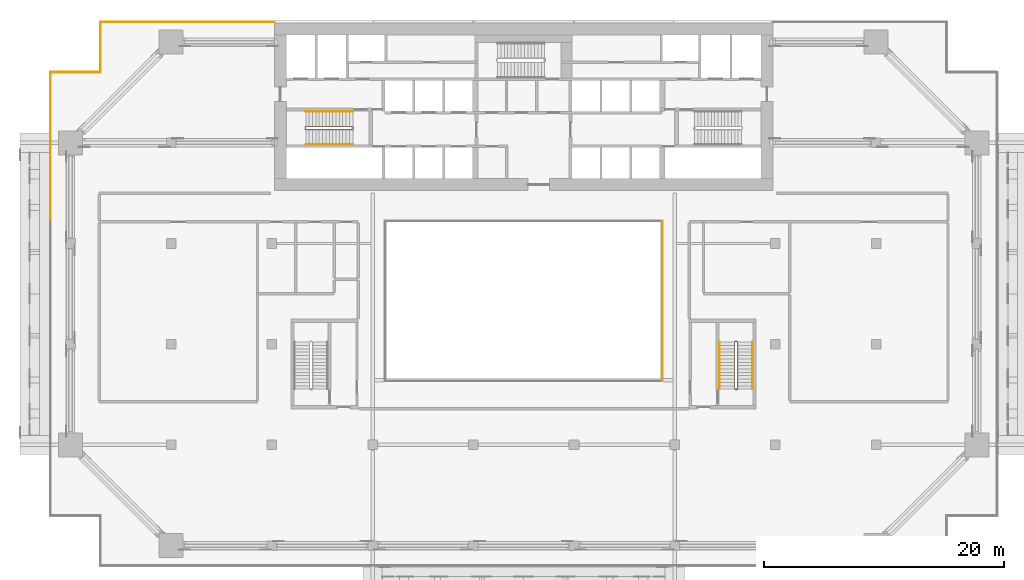
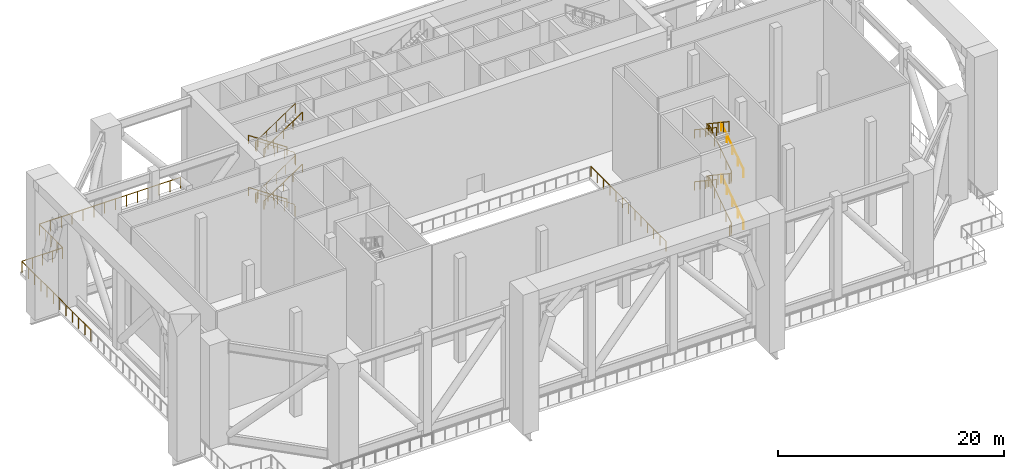
# One storey, part 17 of 19: 15 railings.
"""IFC4 building model written with IfcOpenShell, lengths in metres."""

from ifc_helpers import new_model, si_unit, direction, frame, origin, origin_2d, place, context, subcontext, project, spatial, circle, extrude, material, type_object, element, save


model = new_model("IFC4")

# Units and contexts
model_context = context("Model", 3, precision=1e-05, world=origin(), true_north=direction((0.0, 1.0)))
body_context = subcontext(model_context, "Body", "Model", "MODEL_VIEW")
ifc_project = project(units=[si_unit("LENGTHUNIT", "METRE"), si_unit("AREAUNIT", "SQUARE_METRE"), si_unit("VOLUMEUNIT", "CUBIC_METRE"), si_unit("PLANEANGLEUNIT", "RADIAN"), si_unit("MASSUNIT", "GRAM", prefix="KILO")], contexts=[model_context])

# Site, building, storey
site_placement = place(None, origin())
site = spatial("IfcSite", under=ifc_project, at=site_placement, CompositionType="ELEMENT")
building_placement = place(site_placement, origin())
building = spatial("IfcBuilding", under=site, at=building_placement, Name="Saffron Gate Tower", CompositionType="ELEMENT")
storey_placement = place(building_placement, frame((0.0, 0.0, 84.0)))
storey = spatial("IfcBuildingStorey", under=building, at=storey_placement, Name="L20", CompositionType="ELEMENT", Elevation=84.0)

# Railings
ifc_material_1 = material(Name="Stainless steel and laminated glass", Category="steel")
railing_type_1 = type_object("IfcRailingType", Name="AG1 Atrium edge guard 1100", PredefinedType="GUARDRAIL", material=ifc_material_1)
railing_1_placement = place(storey_placement, frame((99.179931640625, 58.860107421875, 0.0)))
element("IfcRailing", 1, at=railing_1_placement, inside=storey, type_object=railing_type_1, Name="Guard X1-3", PredefinedType="GUARDRAIL", context=body_context, shape_type="SweptSolid", body=[
    extrude(circle(Radius=0.02392578125, at=origin_2d()), frame((0.0, 0.0, 1.076171875), z_axis=(0.0, -1.0, 0.0), x_axis=(1.0, 0.0, 0.0)), (0.0, 0.0, 1.0), 13.320068359375),
    extrude(circle(Radius=0.02099609375, at=origin_2d()), origin(), (0.0, 0.0, 1.0), 1.052001953125),
    extrude(circle(Radius=0.02099609375, at=origin_2d()), frame((0.0, -1.110107421875, 0.0)), (0.0, 0.0, 1.0), 1.052001953125),
    extrude(circle(Radius=0.02099609375, at=origin_2d()), frame((0.0, -2.219970703125, 0.0)), (0.0, 0.0, 1.0), 1.052001953125),
    extrude(circle(Radius=0.02099609375, at=origin_2d()), frame((0.0, -3.330078125, 0.0)), (0.0, 0.0, 1.0), 1.052001953125),
    extrude(circle(Radius=0.02099609375, at=origin_2d()), frame((0.0, -4.43994140625, 0.0)), (0.0, 0.0, 1.0), 1.052001953125),
    extrude(circle(Radius=0.02099609375, at=origin_2d()), frame((0.0, -5.550048828125, 0.0)), (0.0, 0.0, 1.0), 1.052001953125),
    extrude(circle(Radius=0.02099609375, at=origin_2d()), frame((0.0, -6.66015625, 0.0)), (0.0, 0.0, 1.0), 1.052001953125),
    extrude(circle(Radius=0.02099609375, at=origin_2d()), frame((0.0, -7.77001953125, 0.0)), (0.0, 0.0, 1.0), 1.052001953125),
    extrude(circle(Radius=0.02099609375, at=origin_2d()), frame((0.0, -8.880126953125, 0.0)), (0.0, 0.0, 1.0), 1.052001953125),
    extrude(circle(Radius=0.02099609375, at=origin_2d()), frame((0.0, -9.989990234375, 0.0)), (0.0, 0.0, 1.0), 1.052001953125),
    extrude(circle(Radius=0.02099609375, at=origin_2d()), frame((0.0, -11.10009765625, 0.0)), (0.0, 0.0, 1.0), 1.052001953125),
    extrude(circle(Radius=0.02099609375, at=origin_2d()), frame((0.0, -12.2099609375, 0.0)), (0.0, 0.0, 1.0), 1.052001953125),
    extrude(circle(Radius=0.02099609375, at=origin_2d()), frame((0.0, -13.320068359375, 0.0)), (0.0, 0.0, 1.0), 1.052001953125),
])
ifc_material_2 = material(Name="Stainless steel posts and toughened glass infill", Category="steel")
railing_type_2 = type_object("IfcRailingType", Name="BAL1 balustrade 1200", PredefinedType="BALUSTRADE", material=ifc_material_2)
railing_2_placement = place(storey_placement, frame((66.800048828125, 75.47998046875, 0.0)))
element("IfcRailing", 2, at=railing_2_placement, inside=storey, type_object=railing_type_2, Name="GUARD portal deck edge", PredefinedType="BALUSTRADE", context=body_context, shape_type="SweptSolid", body=[
    extrude(circle(Radius=0.02392578125, at=origin_2d()), frame((0.0, 0.0, 1.17578125), z_axis=(-1.0, 0.0, 0.0), x_axis=(0.0, -1.0, 0.0)), (0.0, 0.0, 1.0), 14.43994140625),
    extrude(circle(Radius=0.02099609375, at=origin_2d()), origin(), (0.0, 0.0, 1.0), 1.15185546875),
    extrude(circle(Radius=0.02099609375, at=origin_2d()), frame((-1.11083984375, 0.0, 0.0)), (0.0, 0.0, 1.0), 1.15185546875),
    extrude(circle(Radius=0.02099609375, at=origin_2d()), frame((-2.221435546875, 0.0, 0.0)), (0.0, 0.0, 1.0), 1.15185546875),
    extrude(circle(Radius=0.02099609375, at=origin_2d()), frame((-3.332275390625, 0.0, 0.0)), (0.0, 0.0, 1.0), 1.15185546875),
    extrude(circle(Radius=0.02099609375, at=origin_2d()), frame((-4.443115234375, 0.0, 0.0)), (0.0, 0.0, 1.0), 1.15185546875),
    extrude(circle(Radius=0.02099609375, at=origin_2d()), frame((-5.5537109375, 0.0, 0.0)), (0.0, 0.0, 1.0), 1.15185546875),
    extrude(circle(Radius=0.02099609375, at=origin_2d()), frame((-6.66455078125, 0.0, 0.0)), (0.0, 0.0, 1.0), 1.15185546875),
    extrude(circle(Radius=0.02099609375, at=origin_2d()), frame((-7.775390625, 0.0, 0.0)), (0.0, 0.0, 1.0), 1.15185546875),
    extrude(circle(Radius=0.02099609375, at=origin_2d()), frame((-8.88623046875, 0.0, 0.0)), (0.0, 0.0, 1.0), 1.15185546875),
    extrude(circle(Radius=0.02099609375, at=origin_2d()), frame((-9.996826171875, 0.0, 0.0)), (0.0, 0.0, 1.0), 1.15185546875),
    extrude(circle(Radius=0.02099609375, at=origin_2d()), frame((-11.107666015625, 0.0, 0.0)), (0.0, 0.0, 1.0), 1.15185546875),
    extrude(circle(Radius=0.02099609375, at=origin_2d()), frame((-12.218505859375, 0.0, 0.0)), (0.0, 0.0, 1.0), 1.15185546875),
    extrude(circle(Radius=0.02099609375, at=origin_2d()), frame((-13.3291015625, 0.0, 0.0)), (0.0, 0.0, 1.0), 1.15185546875),
    extrude(circle(Radius=0.02099609375, at=origin_2d()), frame((-14.43994140625, 0.0, 0.0)), (0.0, 0.0, 1.0), 1.15185546875),
])
railing_3_placement = place(storey_placement, frame((52.320068359375, 75.43994140625, 0.0)))
element("IfcRailing", 3, at=railing_3_placement, inside=storey, type_object=railing_type_2, Name="GUARD portal deck edge", PredefinedType="BALUSTRADE", context=body_context, shape_type="SweptSolid", body=[
    extrude(circle(Radius=0.02392578125, at=origin_2d()), frame((0.0, 0.0, 1.17578125), z_axis=(0.0, -1.0, 0.0), x_axis=(1.0, 0.0, 0.0)), (0.0, 0.0, 1.0), 4.119873046875),
    extrude(circle(Radius=0.02099609375, at=origin_2d()), origin(), (0.0, 0.0, 1.0), 1.15185546875),
    extrude(circle(Radius=0.02099609375, at=origin_2d()), frame((0.0, -1.030029296875, 0.0)), (0.0, 0.0, 1.0), 1.15185546875),
    extrude(circle(Radius=0.02099609375, at=origin_2d()), frame((0.0, -2.06005859375, 0.0)), (0.0, 0.0, 1.0), 1.15185546875),
    extrude(circle(Radius=0.02099609375, at=origin_2d()), frame((0.0, -3.08984375, 0.0)), (0.0, 0.0, 1.0), 1.15185546875),
    extrude(circle(Radius=0.02099609375, at=origin_2d()), frame((0.0, -4.119873046875, 0.0)), (0.0, 0.0, 1.0), 1.15185546875),
])
railing_4_placement = place(storey_placement, frame((52.280029296875, 71.280029296875, 0.0)))
element("IfcRailing", 4, at=railing_4_placement, inside=storey, type_object=railing_type_2, Name="GUARD portal deck edge", PredefinedType="BALUSTRADE", context=body_context, shape_type="SweptSolid", body=[
    extrude(circle(Radius=0.02392578125, at=origin_2d()), frame((0.0, 0.0, 1.17578125), z_axis=(-1.0, 0.0, 0.0), x_axis=(0.0, -1.0, 0.0)), (0.0, 0.0, 1.0), 4.1201171875),
    extrude(circle(Radius=0.02099609375, at=origin_2d()), origin(), (0.0, 0.0, 1.0), 1.15185546875),
    extrude(circle(Radius=0.02099609375, at=origin_2d()), frame((-1.030029296875, 0.0, 0.0)), (0.0, 0.0, 1.0), 1.15185546875),
    extrude(circle(Radius=0.02099609375, at=origin_2d()), frame((-2.06005859375, 0.0, 0.0)), (0.0, 0.0, 1.0), 1.15185546875),
    extrude(circle(Radius=0.02099609375, at=origin_2d()), frame((-3.090087890625, 0.0, 0.0)), (0.0, 0.0, 1.0), 1.15185546875),
    extrude(circle(Radius=0.02099609375, at=origin_2d()), frame((-4.1201171875, 0.0, 0.0)), (0.0, 0.0, 1.0), 1.15185546875),
])
railing_5_placement = place(storey_placement, frame((48.1201171875, 71.239990234375, 0.0)))
element("IfcRailing", 5, at=railing_5_placement, inside=storey, type_object=railing_type_2, Name="GUARD portal deck edge", PredefinedType="BALUSTRADE", context=body_context, shape_type="SweptSolid", body=[
    extrude(circle(Radius=0.02392578125, at=origin_2d()), frame((0.0, 0.0, 1.17578125), z_axis=(0.0, -1.0, 0.0), x_axis=(1.0, 0.0, 0.0)), (0.0, 0.0, 1.0), 12.239990234375),
    extrude(circle(Radius=0.02099609375, at=origin_2d()), origin(), (0.0, 0.0, 1.0), 1.15185546875),
    extrude(circle(Radius=0.02099609375, at=origin_2d()), frame((0.0, -1.11279296875, 0.0)), (0.0, 0.0, 1.0), 1.15185546875),
    extrude(circle(Radius=0.02099609375, at=origin_2d()), frame((0.0, -2.225341796875, 0.0)), (0.0, 0.0, 1.0), 1.15185546875),
    extrude(circle(Radius=0.02099609375, at=origin_2d()), frame((0.0, -3.338134765625, 0.0)), (0.0, 0.0, 1.0), 1.15185546875),
    extrude(circle(Radius=0.02099609375, at=origin_2d()), frame((0.0, -4.450927734375, 0.0)), (0.0, 0.0, 1.0), 1.15185546875),
    extrude(circle(Radius=0.02099609375, at=origin_2d()), frame((0.0, -5.563720703125, 0.0)), (0.0, 0.0, 1.0), 1.15185546875),
    extrude(circle(Radius=0.02099609375, at=origin_2d()), frame((0.0, -6.67626953125, 0.0)), (0.0, 0.0, 1.0), 1.15185546875),
    extrude(circle(Radius=0.02099609375, at=origin_2d()), frame((0.0, -7.7890625, 0.0)), (0.0, 0.0, 1.0), 1.15185546875),
    extrude(circle(Radius=0.02099609375, at=origin_2d()), frame((0.0, -8.90185546875, 0.0)), (0.0, 0.0, 1.0), 1.15185546875),
    extrude(circle(Radius=0.02099609375, at=origin_2d()), frame((0.0, -10.0146484375, 0.0)), (0.0, 0.0, 1.0), 1.15185546875),
    extrude(circle(Radius=0.02099609375, at=origin_2d()), frame((0.0, -11.127197265625, 0.0)), (0.0, 0.0, 1.0), 1.15185546875),
    extrude(circle(Radius=0.02099609375, at=origin_2d()), frame((0.0, -12.239990234375, 0.0)), (0.0, 0.0, 1.0), 1.15185546875),
])
railing_type_3 = type_object("IfcRailingType", Name="CR1 Stair guard 1100", PredefinedType="GUARDRAIL", material=ifc_material_1)
railing_6_placement = place(storey_placement, frame((73.39990234375, 66.550048828125, 0.0)))
element("IfcRailing", 6, at=railing_6_placement, inside=storey, type_object=railing_type_3, Name="L20 ST-A stair guard 1", PredefinedType="GUARDRAIL", context=body_context, shape_type="SweptSolid", body=[
    extrude(circle(Radius=0.02392578125, at=origin_2d()), frame((0.0, 0.0, 1.076171875), z_axis=(0.0, 1.0, 0.0), x_axis=(-1.0, 0.0, 0.0)), (0.0, 0.0, 1.0), 0.14990234375),
    extrude(circle(Radius=0.02392578125, at=origin_2d()), frame((0.0, 0.14990234375, 1.076171875), z_axis=(-0.248583702486, 0.249802250048, 0.935844527007), x_axis=(-0.708833529934, -0.705375805398, 0.0)), (0.0, 0.0, 1.0), 0.200439453125),
    extrude(circle(Radius=0.02392578125, at=origin_2d()), frame((-0.0498046875, 0.199951171875, 1.263671875), z_axis=(-0.830918070988, 0.0, 0.556394787274), x_axis=(0.0, -1.0, 0.0)), (0.0, 0.0, 1.0), 4.7177734375),
    extrude(circle(Radius=0.02392578125, at=origin_2d()), frame((-3.969970703125, 0.199951171875, 3.888671875), z_axis=(-0.707106781187, -0.707106781187, 0.0), x_axis=(0.707106781187, -0.707106781187, 0.0)), (0.0, 0.0, 1.0), 0.07080078125),
    extrude(circle(Radius=0.02392578125, at=origin_2d()), frame((-4.02001953125, 0.14990234375, 3.888671875), z_axis=(0.0, -1.0, 0.0), x_axis=(1.0, 0.0, 0.0)), (0.0, 0.0, 1.0), 0.14990234375),
    extrude(circle(Radius=0.02392578125, at=origin_2d()), frame((-4.02001953125, 0.0, 3.888671875), z_axis=(0.249726431254, -0.249726431254, 0.935560483917), x_axis=(0.707106781187, 0.707106781187, 0.0)), (0.0, 0.0, 1.0), 0.200439453125),
    extrude(circle(Radius=0.02392578125, at=origin_2d()), frame((-3.969970703125, -0.050048828125, 4.076171875), z_axis=(0.830918070988, 0.0, 0.556394787274), x_axis=(0.0, 1.0, 0.0)), (0.0, 0.0, 1.0), 4.7177734375),
    extrude(circle(Radius=0.02392578125, at=origin_2d()), frame((-0.0498046875, -0.050048828125, 6.701171875), z_axis=(0.705375805398, 0.708833529934, 0.0), x_axis=(-0.708833529934, 0.705375805398, 0.0)), (0.0, 0.0, 1.0), 0.070556640625),
    extrude(circle(Radius=0.02392578125, at=origin_2d()), frame((0.0, 0.0, 6.701171875), z_axis=(0.0, 1.0, 0.0), x_axis=(-1.0, 0.0, 0.0)), (0.0, 0.0, 1.0), 0.14990234375),
    extrude(circle(Radius=0.02392578125, at=origin_2d()), frame((0.0, 0.14990234375, 6.701171875), z_axis=(-0.248583702486, 0.249802250048, 0.935844527007), x_axis=(-0.708833529934, -0.705375805398, 0.0)), (0.0, 0.0, 1.0), 0.200439453125),
    extrude(circle(Radius=0.02392578125, at=origin_2d()), frame((-0.0498046875, 0.199951171875, 6.888671875), z_axis=(-0.830918070988, 0.0, 0.556394787274), x_axis=(0.0, -1.0, 0.0)), (0.0, 0.0, 1.0), 4.7177734375),
    extrude(circle(Radius=0.02392578125, at=origin_2d()), frame((-3.969970703125, 0.199951171875, 9.513671875), z_axis=(-0.707106781187, -0.707106781187, 0.0), x_axis=(0.707106781187, -0.707106781187, 0.0)), (0.0, 0.0, 1.0), 0.07080078125),
    extrude(circle(Radius=0.02392578125, at=origin_2d()), frame((-4.02001953125, 0.14990234375, 9.513671875), z_axis=(0.0, -1.0, 0.0), x_axis=(1.0, 0.0, 0.0)), (0.0, 0.0, 1.0), 0.14990234375),
    extrude(circle(Radius=0.02392578125, at=origin_2d()), frame((-4.02001953125, 0.0, 9.513671875), z_axis=(0.249726431254, -0.249726431254, 0.935560483917), x_axis=(0.707106781187, 0.707106781187, 0.0)), (0.0, 0.0, 1.0), 0.200439453125),
    extrude(circle(Radius=0.02392578125, at=origin_2d()), frame((-3.969970703125, -0.050048828125, 9.701171875), z_axis=(0.830918070988, 0.0, 0.556394787274), x_axis=(0.0, 1.0, 0.0)), (0.0, 0.0, 1.0), 4.7177734375),
    extrude(circle(Radius=0.02099609375, at=origin_2d()), origin(), (0.0, 0.0, 1.0), 1.052001953125),
    extrude(circle(Radius=0.02099609375, at=origin_2d()), frame((0.0, 0.14990234375, 0.0)), (0.0, 0.0, 1.0), 1.052001953125),
    extrude(circle(Radius=0.02099609375, at=origin_2d()), frame((-0.0498046875, 0.199951171875, 0.1875)), (0.0, 0.0, 1.0), 1.052001953125),
    extrude(circle(Radius=0.02099609375, at=origin_2d()), frame((-1.02978515625, 0.199951171875, 0.84375)), (0.0, 0.0, 1.0), 1.052001953125),
    extrude(circle(Radius=0.02099609375, at=origin_2d()), frame((-2.009765625, 0.199951171875, 1.5)), (0.0, 0.0, 1.0), 1.052001953125),
    extrude(circle(Radius=0.02099609375, at=origin_2d()), frame((-2.989990234375, 0.199951171875, 2.15625)), (0.0, 0.0, 1.0), 1.052001953125),
    extrude(circle(Radius=0.02099609375, at=origin_2d()), frame((-3.969970703125, 0.199951171875, 2.8125)), (0.0, 0.0, 1.0), 1.052001953125),
    extrude(circle(Radius=0.02099609375, at=origin_2d()), frame((-4.02001953125, 0.14990234375, 2.8125)), (0.0, 0.0, 1.0), 1.052001953125),
    extrude(circle(Radius=0.02099609375, at=origin_2d()), frame((-4.02001953125, 0.0, 2.8125)), (0.0, 0.0, 1.0), 1.052001953125),
    extrude(circle(Radius=0.02099609375, at=origin_2d()), frame((-3.969970703125, -0.050048828125, 3.0)), (0.0, 0.0, 1.0), 1.052001953125),
    extrude(circle(Radius=0.02099609375, at=origin_2d()), frame((-2.989990234375, -0.050048828125, 3.65625)), (0.0, 0.0, 1.0), 1.052001953125),
    extrude(circle(Radius=0.02099609375, at=origin_2d()), frame((-2.009765625, -0.050048828125, 4.3125)), (0.0, 0.0, 1.0), 1.052001953125),
    extrude(circle(Radius=0.02099609375, at=origin_2d()), frame((-1.02978515625, -0.050048828125, 4.96875)), (0.0, 0.0, 1.0), 1.052001953125),
    extrude(circle(Radius=0.02099609375, at=origin_2d()), frame((-0.0498046875, -0.050048828125, 5.625)), (0.0, 0.0, 1.0), 1.052001953125),
    extrude(circle(Radius=0.02099609375, at=origin_2d()), frame((0.0, 0.0, 5.625)), (0.0, 0.0, 1.0), 1.052001953125),
    extrude(circle(Radius=0.02099609375, at=origin_2d()), frame((0.0, 0.14990234375, 5.625)), (0.0, 0.0, 1.0), 1.052001953125),
    extrude(circle(Radius=0.02099609375, at=origin_2d()), frame((-0.0498046875, 0.199951171875, 5.8125)), (0.0, 0.0, 1.0), 1.052001953125),
    extrude(circle(Radius=0.02099609375, at=origin_2d()), frame((-1.02978515625, 0.199951171875, 6.46875)), (0.0, 0.0, 1.0), 1.052001953125),
    extrude(circle(Radius=0.02099609375, at=origin_2d()), frame((-2.009765625, 0.199951171875, 7.125)), (0.0, 0.0, 1.0), 1.052001953125),
    extrude(circle(Radius=0.02099609375, at=origin_2d()), frame((-2.989990234375, 0.199951171875, 7.78125)), (0.0, 0.0, 1.0), 1.052001953125),
    extrude(circle(Radius=0.02099609375, at=origin_2d()), frame((-3.969970703125, 0.199951171875, 8.4375)), (0.0, 0.0, 1.0), 1.052001953125),
    extrude(circle(Radius=0.02099609375, at=origin_2d()), frame((-4.02001953125, 0.14990234375, 8.4375)), (0.0, 0.0, 1.0), 1.052001953125),
    extrude(circle(Radius=0.02099609375, at=origin_2d()), frame((-4.02001953125, 0.0, 8.4375)), (0.0, 0.0, 1.0), 1.052001953125),
    extrude(circle(Radius=0.02099609375, at=origin_2d()), frame((-3.969970703125, -0.050048828125, 8.625)), (0.0, 0.0, 1.0), 1.052001953125),
    extrude(circle(Radius=0.02099609375, at=origin_2d()), frame((-2.989990234375, -0.050048828125, 9.28125)), (0.0, 0.0, 1.0), 1.052001953125),
    extrude(circle(Radius=0.02099609375, at=origin_2d()), frame((-2.009765625, -0.050048828125, 9.9375)), (0.0, 0.0, 1.0), 1.052001953125),
    extrude(circle(Radius=0.02099609375, at=origin_2d()), frame((-1.02978515625, -0.050048828125, 10.59375)), (0.0, 0.0, 1.0), 1.052001953125),
    extrude(circle(Radius=0.02099609375, at=origin_2d()), frame((-0.0498046875, -0.050048828125, 11.25)), (0.0, 0.0, 1.0), 1.052001953125),
])
railing_7_placement = place(storey_placement, frame((105.25, 44.800048828125, 0.0)))
element("IfcRailing", 7, at=railing_7_placement, inside=storey, type_object=railing_type_3, Name="L20 ST-E stair guard 1", PredefinedType="GUARDRAIL", context=body_context, shape_type="SweptSolid", body=[
    extrude(circle(Radius=0.02392578125, at=origin_2d()), frame((0.0, 0.0, 1.076171875), z_axis=(1.0, 0.0, 0.0), x_axis=(0.0, 1.0, 0.0)), (0.0, 0.0, 1.0), 0.14990234375),
    extrude(circle(Radius=0.02392578125, at=origin_2d()), frame((0.14990234375, 0.0, 1.076171875), z_axis=(0.249726431254, 0.249726431254, 0.935560483917), x_axis=(-0.707106781187, 0.707106781187, 0.0)), (0.0, 0.0, 1.0), 0.200439453125),
    extrude(circle(Radius=0.02392578125, at=origin_2d()), frame((0.199951171875, 0.050048828125, 1.263671875), z_axis=(0.0, 0.830902050051, 0.556418712142), x_axis=(-1.0, 0.0, 0.0)), (0.0, 0.0, 1.0), 4.7177734375),
    extrude(circle(Radius=0.02392578125, at=origin_2d()), frame((0.199951171875, 3.969970703125, 3.888671875), z_axis=(-0.707106781187, 0.707106781187, 0.0), x_axis=(-0.707106781187, -0.707106781187, 0.0)), (0.0, 0.0, 1.0), 0.07080078125),
    extrude(circle(Radius=0.02392578125, at=origin_2d()), frame((0.14990234375, 4.02001953125, 3.888671875), z_axis=(-1.0, 0.0, 0.0), x_axis=(0.0, -1.0, 0.0)), (0.0, 0.0, 1.0), 0.14990234375),
    extrude(circle(Radius=0.02392578125, at=origin_2d()), frame((0.0, 4.02001953125, 3.888671875), z_axis=(-0.249726431254, -0.249726431254, 0.935560483917), x_axis=(0.707106781187, -0.707106781187, 0.0)), (0.0, 0.0, 1.0), 0.200439453125),
    extrude(circle(Radius=0.02392578125, at=origin_2d()), frame((-0.050048828125, 3.969970703125, 4.076171875), z_axis=(0.0, -0.830902050051, 0.556418712142), x_axis=(1.0, 0.0, 0.0)), (0.0, 0.0, 1.0), 4.7177734375),
    extrude(circle(Radius=0.02392578125, at=origin_2d()), frame((-0.050048828125, 0.050048828125, 6.701171875), z_axis=(0.707106781187, -0.707106781187, 0.0), x_axis=(0.707106781187, 0.707106781187, 0.0)), (0.0, 0.0, 1.0), 0.07080078125),
    extrude(circle(Radius=0.02392578125, at=origin_2d()), frame((0.0, 0.0, 6.701171875), z_axis=(1.0, 0.0, 0.0), x_axis=(0.0, 1.0, 0.0)), (0.0, 0.0, 1.0), 0.14990234375),
    extrude(circle(Radius=0.02392578125, at=origin_2d()), frame((0.14990234375, 0.0, 6.701171875), z_axis=(0.249726431254, 0.249726431254, 0.935560483917), x_axis=(-0.707106781187, 0.707106781187, 0.0)), (0.0, 0.0, 1.0), 0.200439453125),
    extrude(circle(Radius=0.02392578125, at=origin_2d()), frame((0.199951171875, 0.050048828125, 6.888671875), z_axis=(0.0, 0.830902050051, 0.556418712142), x_axis=(-1.0, 0.0, 0.0)), (0.0, 0.0, 1.0), 4.7177734375),
    extrude(circle(Radius=0.02392578125, at=origin_2d()), frame((0.199951171875, 3.969970703125, 9.513671875), z_axis=(-0.707106781187, 0.707106781187, 0.0), x_axis=(-0.707106781187, -0.707106781187, 0.0)), (0.0, 0.0, 1.0), 0.07080078125),
    extrude(circle(Radius=0.02392578125, at=origin_2d()), frame((0.14990234375, 4.02001953125, 9.513671875), z_axis=(-1.0, 0.0, 0.0), x_axis=(0.0, -1.0, 0.0)), (0.0, 0.0, 1.0), 0.14990234375),
    extrude(circle(Radius=0.02392578125, at=origin_2d()), frame((0.0, 4.02001953125, 9.513671875), z_axis=(-0.249726431254, -0.249726431254, 0.935560483917), x_axis=(0.707106781187, -0.707106781187, 0.0)), (0.0, 0.0, 1.0), 0.200439453125),
    extrude(circle(Radius=0.02392578125, at=origin_2d()), frame((-0.050048828125, 3.969970703125, 9.701171875), z_axis=(0.0, -0.830902050051, 0.556418712142), x_axis=(1.0, 0.0, 0.0)), (0.0, 0.0, 1.0), 4.7177734375),
    extrude(circle(Radius=0.02099609375, at=origin_2d()), origin(), (0.0, 0.0, 1.0), 1.052001953125),
    extrude(circle(Radius=0.02099609375, at=origin_2d()), frame((0.14990234375, 0.0, 0.0)), (0.0, 0.0, 1.0), 1.052001953125),
    extrude(circle(Radius=0.02099609375, at=origin_2d()), frame((0.199951171875, 0.050048828125, 0.1875)), (0.0, 0.0, 1.0), 1.052001953125),
    extrude(circle(Radius=0.02099609375, at=origin_2d()), frame((0.199951171875, 1.030029296875, 0.84375)), (0.0, 0.0, 1.0), 1.052001953125),
    extrude(circle(Radius=0.02099609375, at=origin_2d()), frame((0.199951171875, 2.010009765625, 1.5)), (0.0, 0.0, 1.0), 1.052001953125),
    extrude(circle(Radius=0.02099609375, at=origin_2d()), frame((0.199951171875, 2.989990234375, 2.15625)), (0.0, 0.0, 1.0), 1.052001953125),
    extrude(circle(Radius=0.02099609375, at=origin_2d()), frame((0.199951171875, 3.969970703125, 2.8125)), (0.0, 0.0, 1.0), 1.052001953125),
    extrude(circle(Radius=0.02099609375, at=origin_2d()), frame((0.14990234375, 4.02001953125, 2.8125)), (0.0, 0.0, 1.0), 1.052001953125),
    extrude(circle(Radius=0.02099609375, at=origin_2d()), frame((0.0, 4.02001953125, 2.8125)), (0.0, 0.0, 1.0), 1.052001953125),
    extrude(circle(Radius=0.02099609375, at=origin_2d()), frame((-0.050048828125, 3.969970703125, 3.0)), (0.0, 0.0, 1.0), 1.052001953125),
    extrude(circle(Radius=0.02099609375, at=origin_2d()), frame((-0.050048828125, 2.989990234375, 3.65625)), (0.0, 0.0, 1.0), 1.052001953125),
    extrude(circle(Radius=0.02099609375, at=origin_2d()), frame((-0.050048828125, 2.010009765625, 4.3125)), (0.0, 0.0, 1.0), 1.052001953125),
    extrude(circle(Radius=0.02099609375, at=origin_2d()), frame((-0.050048828125, 1.030029296875, 4.96875)), (0.0, 0.0, 1.0), 1.052001953125),
    extrude(circle(Radius=0.02099609375, at=origin_2d()), frame((-0.050048828125, 0.050048828125, 5.625)), (0.0, 0.0, 1.0), 1.052001953125),
    extrude(circle(Radius=0.02099609375, at=origin_2d()), frame((0.0, 0.0, 5.625)), (0.0, 0.0, 1.0), 1.052001953125),
    extrude(circle(Radius=0.02099609375, at=origin_2d()), frame((0.14990234375, 0.0, 5.625)), (0.0, 0.0, 1.0), 1.052001953125),
    extrude(circle(Radius=0.02099609375, at=origin_2d()), frame((0.199951171875, 0.050048828125, 5.8125)), (0.0, 0.0, 1.0), 1.052001953125),
    extrude(circle(Radius=0.02099609375, at=origin_2d()), frame((0.199951171875, 1.030029296875, 6.46875)), (0.0, 0.0, 1.0), 1.052001953125),
    extrude(circle(Radius=0.02099609375, at=origin_2d()), frame((0.199951171875, 2.010009765625, 7.125)), (0.0, 0.0, 1.0), 1.052001953125),
    extrude(circle(Radius=0.02099609375, at=origin_2d()), frame((0.199951171875, 2.989990234375, 7.78125)), (0.0, 0.0, 1.0), 1.052001953125),
    extrude(circle(Radius=0.02099609375, at=origin_2d()), frame((0.199951171875, 3.969970703125, 8.4375)), (0.0, 0.0, 1.0), 1.052001953125),
    extrude(circle(Radius=0.02099609375, at=origin_2d()), frame((0.14990234375, 4.02001953125, 8.4375)), (0.0, 0.0, 1.0), 1.052001953125),
    extrude(circle(Radius=0.02099609375, at=origin_2d()), frame((0.0, 4.02001953125, 8.4375)), (0.0, 0.0, 1.0), 1.052001953125),
    extrude(circle(Radius=0.02099609375, at=origin_2d()), frame((-0.050048828125, 3.969970703125, 8.625)), (0.0, 0.0, 1.0), 1.052001953125),
    extrude(circle(Radius=0.02099609375, at=origin_2d()), frame((-0.050048828125, 2.989990234375, 9.28125)), (0.0, 0.0, 1.0), 1.052001953125),
    extrude(circle(Radius=0.02099609375, at=origin_2d()), frame((-0.050048828125, 2.010009765625, 9.9375)), (0.0, 0.0, 1.0), 1.052001953125),
    extrude(circle(Radius=0.02099609375, at=origin_2d()), frame((-0.050048828125, 1.030029296875, 10.59375)), (0.0, 0.0, 1.0), 1.052001953125),
    extrude(circle(Radius=0.02099609375, at=origin_2d()), frame((-0.050048828125, 0.050048828125, 11.25)), (0.0, 0.0, 1.0), 1.052001953125),
])
ifc_material_3 = material(Name="Stainless steel", Category="steel")
railing_type_4 = type_object("IfcRailingType", Name="CR2 Stair handrail 900", PredefinedType="HANDRAIL", material=ifc_material_3)
railing_8_placement = place(storey_placement, frame((73.35009765625, 68.0, 0.1875)))
element("IfcRailing", 8, at=railing_8_placement, inside=storey, type_object=railing_type_4, Name="L20 ST-A stair handrail 1", PredefinedType="HANDRAIL", context=body_context, shape_type="SweptSolid", body=[
    extrude(circle(Radius=0.02392578125, at=origin_2d()), frame((0.0, 0.0, 0.8759765625), z_axis=(-0.830918070988, 0.0, 0.556394787274), x_axis=(0.0, -1.0, 0.0)), (0.0, 0.0, 1.0), 4.7177734375),
    extrude(circle(Radius=0.02099609375, at=origin_2d()), origin(), (0.0, 0.0, 1.0), 0.851806640625),
    extrude(circle(Radius=0.02099609375, at=origin_2d()), frame((-0.97998046875, 0.0, 0.65625)), (0.0, 0.0, 1.0), 0.851806640625),
    extrude(circle(Radius=0.02099609375, at=origin_2d()), frame((-1.9599609375, 0.0, 1.3125)), (0.0, 0.0, 1.0), 0.851806640625),
    extrude(circle(Radius=0.02099609375, at=origin_2d()), frame((-2.940185546875, 0.0, 1.96875)), (0.0, 0.0, 1.0), 0.851806640625),
    extrude(circle(Radius=0.02099609375, at=origin_2d()), frame((-3.920166015625, 0.0, 2.625)), (0.0, 0.0, 1.0), 0.851806640625),
])
railing_9_placement = place(storey_placement, frame((69.429931640625, 65.25, 3.0)))
element("IfcRailing", 9, at=railing_9_placement, inside=storey, type_object=railing_type_4, Name="L20 ST-A stair handrail 2", PredefinedType="HANDRAIL", context=body_context, shape_type="SweptSolid", body=[
    extrude(circle(Radius=0.02392578125, at=origin_2d()), frame((0.0, 0.0, 0.8759765625), z_axis=(0.830918070988, 0.0, 0.556394787274), x_axis=(0.0, 1.0, 0.0)), (0.0, 0.0, 1.0), 4.7177734375),
    extrude(circle(Radius=0.02099609375, at=origin_2d()), origin(), (0.0, 0.0, 1.0), 0.851806640625),
    extrude(circle(Radius=0.02099609375, at=origin_2d()), frame((0.97998046875, 0.0, 0.65625)), (0.0, 0.0, 1.0), 0.851806640625),
    extrude(circle(Radius=0.02099609375, at=origin_2d()), frame((1.9599609375, 0.0, 1.3125)), (0.0, 0.0, 1.0), 0.851806640625),
    extrude(circle(Radius=0.02099609375, at=origin_2d()), frame((2.940185546875, 0.0, 1.96875)), (0.0, 0.0, 1.0), 0.851806640625),
    extrude(circle(Radius=0.02099609375, at=origin_2d()), frame((3.920166015625, 0.0, 2.625)), (0.0, 0.0, 1.0), 0.851806640625),
])
railing_10_placement = place(storey_placement, frame((73.35009765625, 68.0, 5.8125)))
element("IfcRailing", 10, at=railing_10_placement, inside=storey, type_object=railing_type_4, Name="L20 ST-A stair handrail 3", PredefinedType="HANDRAIL", context=body_context, shape_type="SweptSolid", body=[
    extrude(circle(Radius=0.02392578125, at=origin_2d()), frame((0.0, 0.0, 0.8759765625), z_axis=(-0.830918070988, 0.0, 0.556394787274), x_axis=(0.0, -1.0, 0.0)), (0.0, 0.0, 1.0), 4.7177734375),
    extrude(circle(Radius=0.02099609375, at=origin_2d()), origin(), (0.0, 0.0, 1.0), 0.851806640625),
    extrude(circle(Radius=0.02099609375, at=origin_2d()), frame((-0.97998046875, 0.0, 0.65625)), (0.0, 0.0, 1.0), 0.851806640625),
    extrude(circle(Radius=0.02099609375, at=origin_2d()), frame((-1.9599609375, 0.0, 1.3125)), (0.0, 0.0, 1.0), 0.851806640625),
    extrude(circle(Radius=0.02099609375, at=origin_2d()), frame((-2.940185546875, 0.0, 1.96875)), (0.0, 0.0, 1.0), 0.851806640625),
    extrude(circle(Radius=0.02099609375, at=origin_2d()), frame((-3.920166015625, 0.0, 2.625)), (0.0, 0.0, 1.0), 0.851806640625),
])
railing_11_placement = place(storey_placement, frame((69.429931640625, 65.25, 8.625)))
element("IfcRailing", 11, at=railing_11_placement, inside=storey, type_object=railing_type_4, Name="L20 ST-A stair handrail 4", PredefinedType="HANDRAIL", context=body_context, shape_type="SweptSolid", body=[
    extrude(circle(Radius=0.02392578125, at=origin_2d()), frame((0.0, 0.0, 0.8759765625), z_axis=(0.830918070988, 0.0, 0.556394787274), x_axis=(0.0, 1.0, 0.0)), (0.0, 0.0, 1.0), 4.7177734375),
    extrude(circle(Radius=0.02099609375, at=origin_2d()), origin(), (0.0, 0.0, 1.0), 0.851806640625),
    extrude(circle(Radius=0.02099609375, at=origin_2d()), frame((0.97998046875, 0.0, 0.65625)), (0.0, 0.0, 1.0), 0.851806640625),
    extrude(circle(Radius=0.02099609375, at=origin_2d()), frame((1.9599609375, 0.0, 1.3125)), (0.0, 0.0, 1.0), 0.851806640625),
    extrude(circle(Radius=0.02099609375, at=origin_2d()), frame((2.940185546875, 0.0, 1.96875)), (0.0, 0.0, 1.0), 0.851806640625),
    extrude(circle(Radius=0.02099609375, at=origin_2d()), frame((3.920166015625, 0.0, 2.625)), (0.0, 0.0, 1.0), 0.851806640625),
])
railing_12_placement = place(storey_placement, frame((106.699951171875, 44.85009765625, 0.1875)))
element("IfcRailing", 12, at=railing_12_placement, inside=storey, type_object=railing_type_4, Name="L20 ST-E stair handrail 1", PredefinedType="HANDRAIL", context=body_context, shape_type="SweptSolid", body=[
    extrude(circle(Radius=0.02392578125, at=origin_2d()), frame((0.0, 0.0, 0.8759765625), z_axis=(0.0, 0.830902050051, 0.556418712142), x_axis=(-1.0, 0.0, 0.0)), (0.0, 0.0, 1.0), 4.7177734375),
    extrude(circle(Radius=0.02099609375, at=origin_2d()), origin(), (0.0, 0.0, 1.0), 0.851806640625),
    extrude(circle(Radius=0.02099609375, at=origin_2d()), frame((0.0, 0.97998046875, 0.65625)), (0.0, 0.0, 1.0), 0.851806640625),
    extrude(circle(Radius=0.02099609375, at=origin_2d()), frame((0.0, 1.9599609375, 1.3125)), (0.0, 0.0, 1.0), 0.851806640625),
    extrude(circle(Radius=0.02099609375, at=origin_2d()), frame((0.0, 2.93994140625, 1.96875)), (0.0, 0.0, 1.0), 0.851806640625),
    extrude(circle(Radius=0.02099609375, at=origin_2d()), frame((0.0, 3.919921875, 2.625)), (0.0, 0.0, 1.0), 0.851806640625),
])
railing_13_placement = place(storey_placement, frame((103.949951171875, 48.77001953125, 3.0)))
element("IfcRailing", 13, at=railing_13_placement, inside=storey, type_object=railing_type_4, Name="L20 ST-E stair handrail 2", PredefinedType="HANDRAIL", context=body_context, shape_type="SweptSolid", body=[
    extrude(circle(Radius=0.02392578125, at=origin_2d()), frame((0.0, 0.0, 0.8759765625), z_axis=(0.0, -0.830902050051, 0.556418712142), x_axis=(1.0, 0.0, 0.0)), (0.0, 0.0, 1.0), 4.7177734375),
    extrude(circle(Radius=0.02099609375, at=origin_2d()), origin(), (0.0, 0.0, 1.0), 0.851806640625),
    extrude(circle(Radius=0.02099609375, at=origin_2d()), frame((0.0, -0.97998046875, 0.65625)), (0.0, 0.0, 1.0), 0.851806640625),
    extrude(circle(Radius=0.02099609375, at=origin_2d()), frame((0.0, -1.9599609375, 1.3125)), (0.0, 0.0, 1.0), 0.851806640625),
    extrude(circle(Radius=0.02099609375, at=origin_2d()), frame((0.0, -2.93994140625, 1.96875)), (0.0, 0.0, 1.0), 0.851806640625),
    extrude(circle(Radius=0.02099609375, at=origin_2d()), frame((0.0, -3.919921875, 2.625)), (0.0, 0.0, 1.0), 0.851806640625),
])
railing_14_placement = place(storey_placement, frame((106.699951171875, 44.85009765625, 5.8125)))
element("IfcRailing", 14, at=railing_14_placement, inside=storey, type_object=railing_type_4, Name="L20 ST-E stair handrail 3", PredefinedType="HANDRAIL", context=body_context, shape_type="SweptSolid", body=[
    extrude(circle(Radius=0.02392578125, at=origin_2d()), frame((0.0, 0.0, 0.8759765625), z_axis=(0.0, 0.830902050051, 0.556418712142), x_axis=(-1.0, 0.0, 0.0)), (0.0, 0.0, 1.0), 4.7177734375),
    extrude(circle(Radius=0.02099609375, at=origin_2d()), origin(), (0.0, 0.0, 1.0), 0.851806640625),
    extrude(circle(Radius=0.02099609375, at=origin_2d()), frame((0.0, 0.97998046875, 0.65625)), (0.0, 0.0, 1.0), 0.851806640625),
    extrude(circle(Radius=0.02099609375, at=origin_2d()), frame((0.0, 1.9599609375, 1.3125)), (0.0, 0.0, 1.0), 0.851806640625),
    extrude(circle(Radius=0.02099609375, at=origin_2d()), frame((0.0, 2.93994140625, 1.96875)), (0.0, 0.0, 1.0), 0.851806640625),
    extrude(circle(Radius=0.02099609375, at=origin_2d()), frame((0.0, 3.919921875, 2.625)), (0.0, 0.0, 1.0), 0.851806640625),
])
railing_15_placement = place(storey_placement, frame((103.949951171875, 48.77001953125, 8.625)))
element("IfcRailing", 15, at=railing_15_placement, inside=storey, type_object=railing_type_4, Name="L20 ST-E stair handrail 4", PredefinedType="HANDRAIL", context=body_context, shape_type="SweptSolid", body=[
    extrude(circle(Radius=0.02392578125, at=origin_2d()), frame((0.0, 0.0, 0.8759765625), z_axis=(0.0, -0.830902050051, 0.556418712142), x_axis=(1.0, 0.0, 0.0)), (0.0, 0.0, 1.0), 4.7177734375),
    extrude(circle(Radius=0.02099609375, at=origin_2d()), origin(), (0.0, 0.0, 1.0), 0.851806640625),
    extrude(circle(Radius=0.02099609375, at=origin_2d()), frame((0.0, -0.97998046875, 0.65625)), (0.0, 0.0, 1.0), 0.851806640625),
    extrude(circle(Radius=0.02099609375, at=origin_2d()), frame((0.0, -1.9599609375, 1.3125)), (0.0, 0.0, 1.0), 0.851806640625),
    extrude(circle(Radius=0.02099609375, at=origin_2d()), frame((0.0, -2.93994140625, 1.96875)), (0.0, 0.0, 1.0), 0.851806640625),
    extrude(circle(Radius=0.02099609375, at=origin_2d()), frame((0.0, -3.919921875, 2.625)), (0.0, 0.0, 1.0), 0.851806640625),
])

save(model, "model.ifc")
